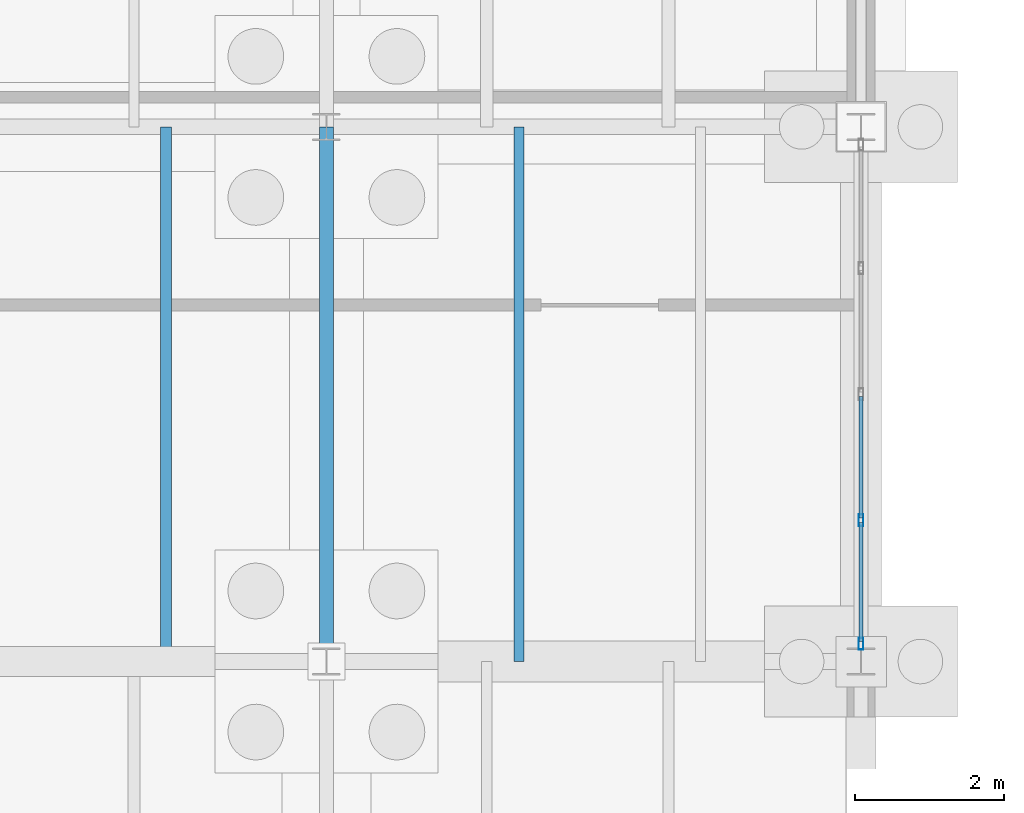
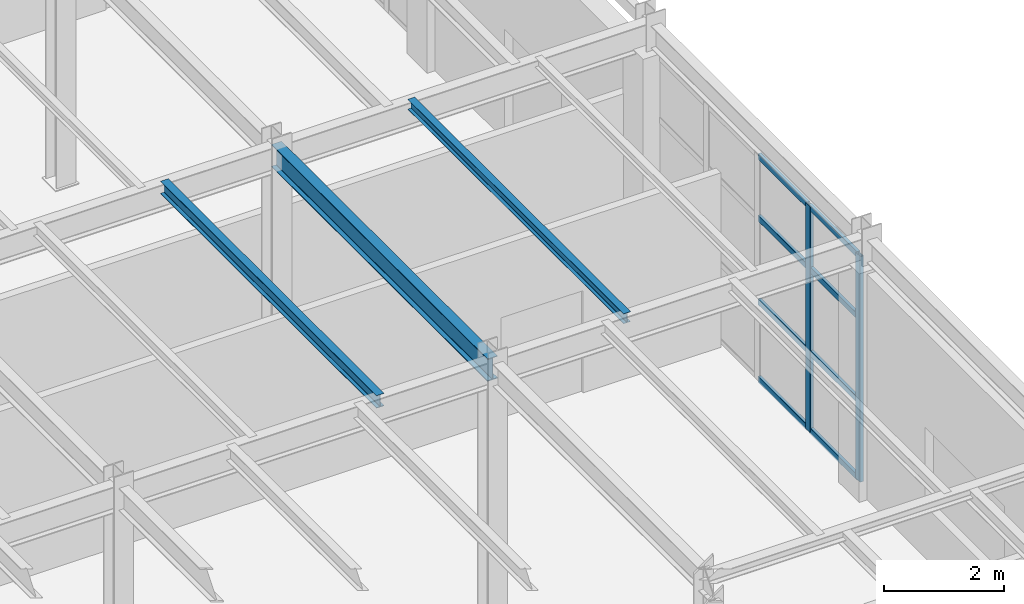
# One storey, part 65 of 293: 10 members, 3 beams, 1 element without a shape of its own.
"""IFC4 building model written with IfcOpenShell, lengths in metres."""

from ifc_helpers import new_model, si_unit, direction, frame, origin, origin_2d, place, context, subcontext, project, spatial, hollow_rectangle, i_section, extrude, material, layer, layer_set, material_profile, profile_set, type_object, element, aggregate, save


model = new_model("IFC4")

# Units and contexts
model_context = context("Model", 3, precision=1e-05, world=origin(), true_north=direction((0.0, 1.0)))
body_context = subcontext(model_context, "Body", "Model", "MODEL_VIEW")
ifc_project = project(units=[si_unit("LENGTHUNIT", "METRE"), si_unit("AREAUNIT", "SQUARE_METRE"), si_unit("VOLUMEUNIT", "CUBIC_METRE"), si_unit("PLANEANGLEUNIT", "RADIAN"), si_unit("MASSUNIT", "GRAM", prefix="KILO")], contexts=[model_context])

# Site, building, storey
site_placement = place(None, origin())
site = spatial("IfcSite", under=ifc_project, at=site_placement, CompositionType="ELEMENT")
building_placement = place(site_placement, origin())
building = spatial("IfcBuilding", under=site, at=building_placement, Name="Kemerveld Promenade Tramway Depot", CompositionType="ELEMENT")
storey_placement = place(building_placement, origin())
storey = spatial("IfcBuildingStorey", under=building, at=storey_placement, Name="L00", CompositionType="ELEMENT", Elevation=0.0)

# Beams
ifc_material_1 = material(Name="Steel S355", Category="steel")
ifc_material_profile_1 = material_profile(ifc_material_1, i_section(OverallWidth=0.19140625, OverallDepth=0.4599609375, WebThickness=0.010009765625, FlangeThickness=0.01611328125, FilletRadius=0.01025390625, at=origin_2d()), Name="457x191x82 UB")
ifc_profile_set_1 = profile_set([ifc_material_profile_1], Name="Steel S355")
beam_type_1 = type_object("IfcBeamType", Name="BM-G06", PredefinedType="BEAM", material=ifc_profile_set_1)
beam_1_placement = place(storey_placement, frame((50.39990234375, 36.0, 4.919921875), z_axis=(0.0, 1.0, 0.0), x_axis=(-1.0, 0.0, 0.0)))
element("IfcBeam", 1, at=beam_1_placement, inside=storey, type_object=beam_type_1, Name="BMY-L00-08-F-G", PredefinedType="BEAM", context=body_context, shape_type="SweptSolid", body=[
    extrude(i_section(OverallWidth=0.19140625, OverallDepth=0.4599609375, WebThickness=0.010009765625, FlangeThickness=0.01611328125, FilletRadius=0.01025390625, at=origin_2d()), origin(), (0.0, 0.0, 1.0), 7.199951171875),
])
ifc_material_profile_2 = material_profile(ifc_material_1, i_section(OverallWidth=0.146484375, OverallDepth=0.256103515625, WebThickness=0.00634765625, FlangeThickness=0.010986328125, FilletRadius=0.007568359375, at=origin_2d()), Name="254x146x37 UB")
ifc_profile_set_2 = profile_set([ifc_material_profile_2], Name="Steel S355")
beam_type_2 = type_object("IfcBeamType", Name="BM-J02", PredefinedType="JOIST", material=ifc_profile_set_2)
beam_2_placement = place(storey_placement, frame((48.239990234375, 36.0, 5.02197265625), z_axis=(0.0, 1.0, 0.0), x_axis=(-1.0, 0.0, 0.0)))
element("IfcBeam", 2, at=beam_2_placement, inside=storey, type_object=beam_type_2, Name="JST-L00-07-F-2", PredefinedType="JOIST", context=body_context, shape_type="SweptSolid", body=[
    extrude(i_section(OverallWidth=0.146484375, OverallDepth=0.256103515625, WebThickness=0.00634765625, FlangeThickness=0.010986328125, FilletRadius=0.007568359375, at=origin_2d()), origin(), (0.0, 0.0, 1.0), 7.199951171875),
])
ifc_material_profile_3 = material_profile(ifc_material_1, i_section(OverallWidth=0.13330078125, OverallDepth=0.203125, WebThickness=0.005615234375, FlangeThickness=0.0078125, FilletRadius=0.007568359375, at=origin_2d()), Name="203x133x25 UB")
ifc_profile_set_3 = profile_set([ifc_material_profile_3], Name="Steel S355")
beam_type_3 = type_object("IfcBeamType", Name="BM-J03", PredefinedType="JOIST", material=ifc_profile_set_3)
beam_3_placement = place(storey_placement, frame((52.991943359375, 36.0, 5.04833984375), z_axis=(0.0, 1.0, 0.0), x_axis=(-1.0, 0.0, 0.0)))
element("IfcBeam", 3, at=beam_3_placement, inside=storey, type_object=beam_type_3, Name="JST-L00-08-F-1", PredefinedType="JOIST", context=body_context, shape_type="SweptSolid", body=[
    extrude(i_section(OverallWidth=0.13330078125, OverallDepth=0.203125, WebThickness=0.005615234375, FlangeThickness=0.0078125, FilletRadius=0.007568359375, at=origin_2d()), origin(), (0.0, 0.0, 1.0), 7.199951171875),
])

# Curtain wall, members
ifc_material_2 = material(Name="Bronze anodised aluminium and solar glass", Category="aluminium")
ifc_layer = layer(ifc_material_2, 0.159912109375)
ifc_layer_set = layer_set([ifc_layer], Name="CW-SYS-09")
curtain_wall_type = type_object("IfcCurtainWallType", Name="CW-SYS-09", PredefinedType="USERDEFINED", material=ifc_layer_set)
curtain_wall_placement = place(storey_placement, origin())
curtain_wall = element("IfcCurtainWall", 4, at=curtain_wall_placement, inside=storey, type_object=curtain_wall_type, Name="CW-L00-V5E-06", ObjectType="GLAZED_CURTAIN_WALL", PredefinedType="USERDEFINED")
ifc_material_3 = material(Name="Bronze anodised aluminium", Category="aluminium")
ifc_material_profile_4 = material_profile(ifc_material_3, hollow_rectangle(XDim=0.06494140625, YDim=0.159912109375, WallThickness=0.00390625, InnerFilletRadius=0.001953125, OuterFilletRadius=0.00390625, at=origin_2d()), Name="CW-MUL-160x65")
ifc_profile_set_4 = profile_set([ifc_material_profile_4], Name="Bronze anodised aluminium")
member_type_1 = type_object("IfcMemberType", Name="CW-MUL-A", PredefinedType="MULLION", material=ifc_profile_set_4)
member_1_placement = place(storey_placement, frame((57.60009765625, 37.903076171875, 0.0), z_axis=(0.0, 0.0, 1.0), x_axis=(1.0, 0.0, 0.0)))
member_1 = element("IfcMember", 5, at=member_1_placement, type_object=member_type_1, Name="CW09 mullion 4", PredefinedType="MULLION", context=body_context, shape_type="SweptSolid", body=[
    extrude(hollow_rectangle(XDim=0.06494140625, YDim=0.159912109375, WallThickness=0.00390625, InnerFilletRadius=0.001953125, OuterFilletRadius=0.00390625, at=origin_2d()), origin(), (0.0, 0.0, 1.0), 4.593505859375),
])
member_2_placement = place(storey_placement, frame((57.60009765625, 36.23876953125, 0.0), z_axis=(0.0, 0.0, 1.0), x_axis=(1.0, 0.0, 0.0)))
member_2 = element("IfcMember", 6, at=member_2_placement, type_object=member_type_1, Name="CW09 mullion 5", PredefinedType="MULLION", context=body_context, shape_type="SweptSolid", body=[
    extrude(hollow_rectangle(XDim=0.06494140625, YDim=0.159912109375, WallThickness=0.00390625, InnerFilletRadius=0.001953125, OuterFilletRadius=0.00390625, at=origin_2d()), origin(), (0.0, 0.0, 1.0), 4.593505859375),
])
ifc_material_profile_5 = material_profile(ifc_material_3, hollow_rectangle(XDim=0.06005859375, YDim=0.1201171875, WallThickness=0.00390625, InnerFilletRadius=0.001953125, OuterFilletRadius=0.00390625, at=origin_2d()), Name="CW-TRN-120x60")
ifc_profile_set_5 = profile_set([ifc_material_profile_5], Name="Bronze anodised aluminium")
member_type_2 = type_object("IfcMemberType", Name="CW-TRN-A", PredefinedType="USERDEFINED", material=ifc_profile_set_5)
member_3_placement = place(storey_placement, frame((57.60009765625, 39.5673828125, 0.030029296875), z_axis=(0.0, -1.0, 0.0), x_axis=(1.0, 0.0, 0.0)))
member_3 = element("IfcMember", 7, at=member_3_placement, type_object=member_type_2, Name="CW09 transom 3.1", ObjectType="TRANSOM", PredefinedType="USERDEFINED", context=body_context, shape_type="SweptSolid", body=[
    extrude(hollow_rectangle(XDim=0.06005859375, YDim=0.1201171875, WallThickness=0.00390625, InnerFilletRadius=0.001953125, OuterFilletRadius=0.00390625, at=origin_2d()), origin(), (0.0, 0.0, 1.0), 1.6318359375),
])
member_4_placement = place(storey_placement, frame((57.60009765625, 39.5673828125, 1.60791015625), z_axis=(0.0, -1.0, 0.0), x_axis=(1.0, 0.0, 0.0)))
member_4 = element("IfcMember", 8, at=member_4_placement, type_object=member_type_2, Name="CW09 transom 3.2", ObjectType="TRANSOM", PredefinedType="USERDEFINED", context=body_context, shape_type="SweptSolid", body=[
    extrude(hollow_rectangle(XDim=0.06005859375, YDim=0.1201171875, WallThickness=0.00390625, InnerFilletRadius=0.001953125, OuterFilletRadius=0.00390625, at=origin_2d()), origin(), (0.0, 0.0, 1.0), 1.6318359375),
])
member_5_placement = place(storey_placement, frame((57.60009765625, 39.5673828125, 3.306884765625), z_axis=(0.0, -1.0, 0.0), x_axis=(1.0, 0.0, 0.0)))
member_5 = element("IfcMember", 9, at=member_5_placement, type_object=member_type_2, Name="CW09 transom 3.3", ObjectType="TRANSOM", PredefinedType="USERDEFINED", context=body_context, shape_type="SweptSolid", body=[
    extrude(hollow_rectangle(XDim=0.06005859375, YDim=0.1201171875, WallThickness=0.00390625, InnerFilletRadius=0.001953125, OuterFilletRadius=0.00390625, at=origin_2d()), origin(), (0.0, 0.0, 1.0), 1.6318359375),
])
member_6_placement = place(storey_placement, frame((57.60009765625, 39.5673828125, 4.5634765625), z_axis=(0.0, -1.0, 0.0), x_axis=(1.0, 0.0, 0.0)))
member_6 = element("IfcMember", 10, at=member_6_placement, type_object=member_type_2, Name="CW09 transom 3.4", ObjectType="TRANSOM", PredefinedType="USERDEFINED", context=body_context, shape_type="SweptSolid", body=[
    extrude(hollow_rectangle(XDim=0.06005859375, YDim=0.1201171875, WallThickness=0.00390625, InnerFilletRadius=0.001953125, OuterFilletRadius=0.00390625, at=origin_2d()), origin(), (0.0, 0.0, 1.0), 1.6318359375),
])
member_7_placement = place(storey_placement, frame((57.60009765625, 37.87060546875, 0.030029296875), z_axis=(0.0, -1.0, 0.0), x_axis=(1.0, 0.0, 0.0)))
member_7 = element("IfcMember", 11, at=member_7_placement, type_object=member_type_2, Name="CW09 transom 4.1", ObjectType="TRANSOM", PredefinedType="USERDEFINED", context=body_context, shape_type="SweptSolid", body=[
    extrude(hollow_rectangle(XDim=0.06005859375, YDim=0.1201171875, WallThickness=0.00390625, InnerFilletRadius=0.001953125, OuterFilletRadius=0.00390625, at=origin_2d()), origin(), (0.0, 0.0, 1.0), 1.599365234375),
])
member_8_placement = place(storey_placement, frame((57.60009765625, 37.87060546875, 1.60791015625), z_axis=(0.0, -1.0, 0.0), x_axis=(1.0, 0.0, 0.0)))
member_8 = element("IfcMember", 12, at=member_8_placement, type_object=member_type_2, Name="CW09 transom 4.2", ObjectType="TRANSOM", PredefinedType="USERDEFINED", context=body_context, shape_type="SweptSolid", body=[
    extrude(hollow_rectangle(XDim=0.06005859375, YDim=0.1201171875, WallThickness=0.00390625, InnerFilletRadius=0.001953125, OuterFilletRadius=0.00390625, at=origin_2d()), origin(), (0.0, 0.0, 1.0), 1.599365234375),
])
member_9_placement = place(storey_placement, frame((57.60009765625, 37.87060546875, 3.306884765625), z_axis=(0.0, -1.0, 0.0), x_axis=(1.0, 0.0, 0.0)))
member_9 = element("IfcMember", 13, at=member_9_placement, type_object=member_type_2, Name="CW09 transom 4.3", ObjectType="TRANSOM", PredefinedType="USERDEFINED", context=body_context, shape_type="SweptSolid", body=[
    extrude(hollow_rectangle(XDim=0.06005859375, YDim=0.1201171875, WallThickness=0.00390625, InnerFilletRadius=0.001953125, OuterFilletRadius=0.00390625, at=origin_2d()), origin(), (0.0, 0.0, 1.0), 1.599365234375),
])
member_10_placement = place(storey_placement, frame((57.60009765625, 37.87060546875, 4.5634765625), z_axis=(0.0, -1.0, 0.0), x_axis=(1.0, 0.0, 0.0)))
member_10 = element("IfcMember", 14, at=member_10_placement, type_object=member_type_2, Name="CW09 transom 4.4", ObjectType="TRANSOM", PredefinedType="USERDEFINED", context=body_context, shape_type="SweptSolid", body=[
    extrude(hollow_rectangle(XDim=0.06005859375, YDim=0.1201171875, WallThickness=0.00390625, InnerFilletRadius=0.001953125, OuterFilletRadius=0.00390625, at=origin_2d()), origin(), (0.0, 0.0, 1.0), 1.599365234375),
])
aggregate(curtain_wall, [member_1, member_2, member_3, member_4, member_5, member_6, member_7, member_8, member_9, member_10])

save(model, "model.ifc")
